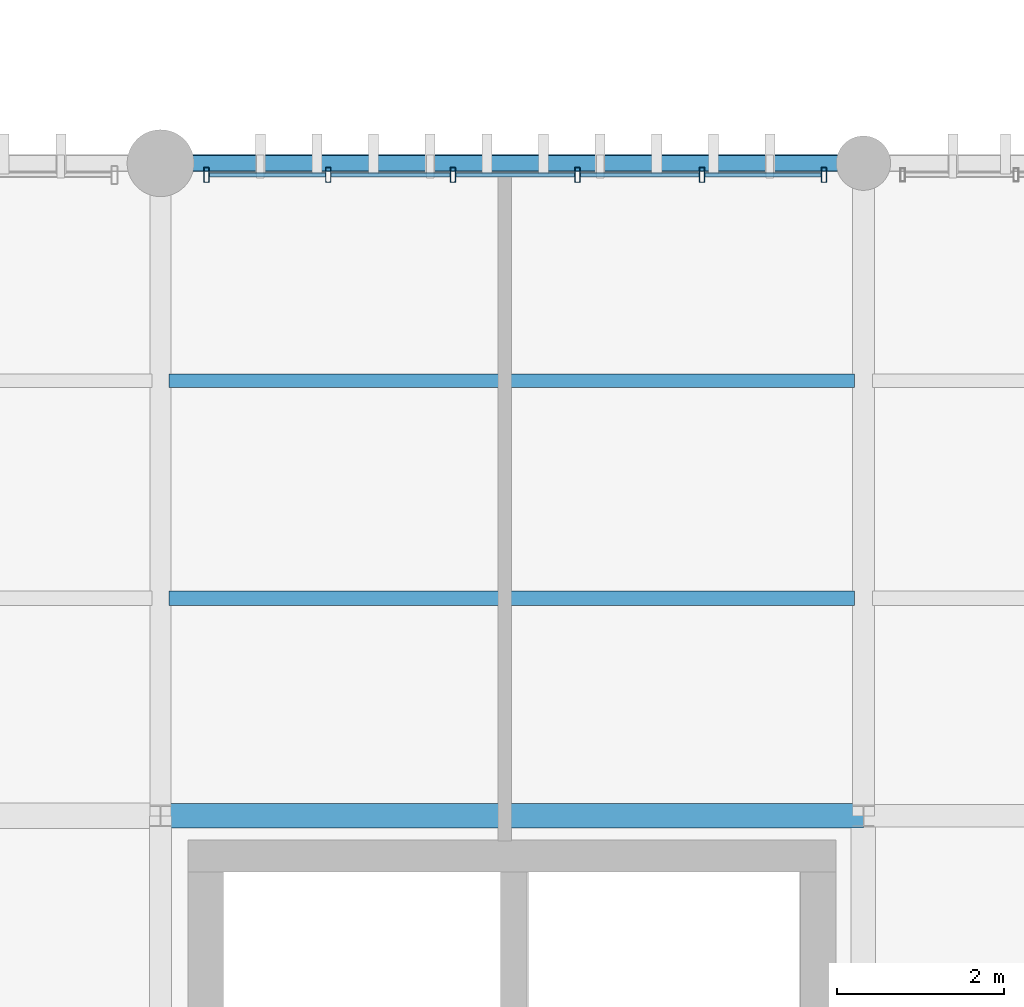
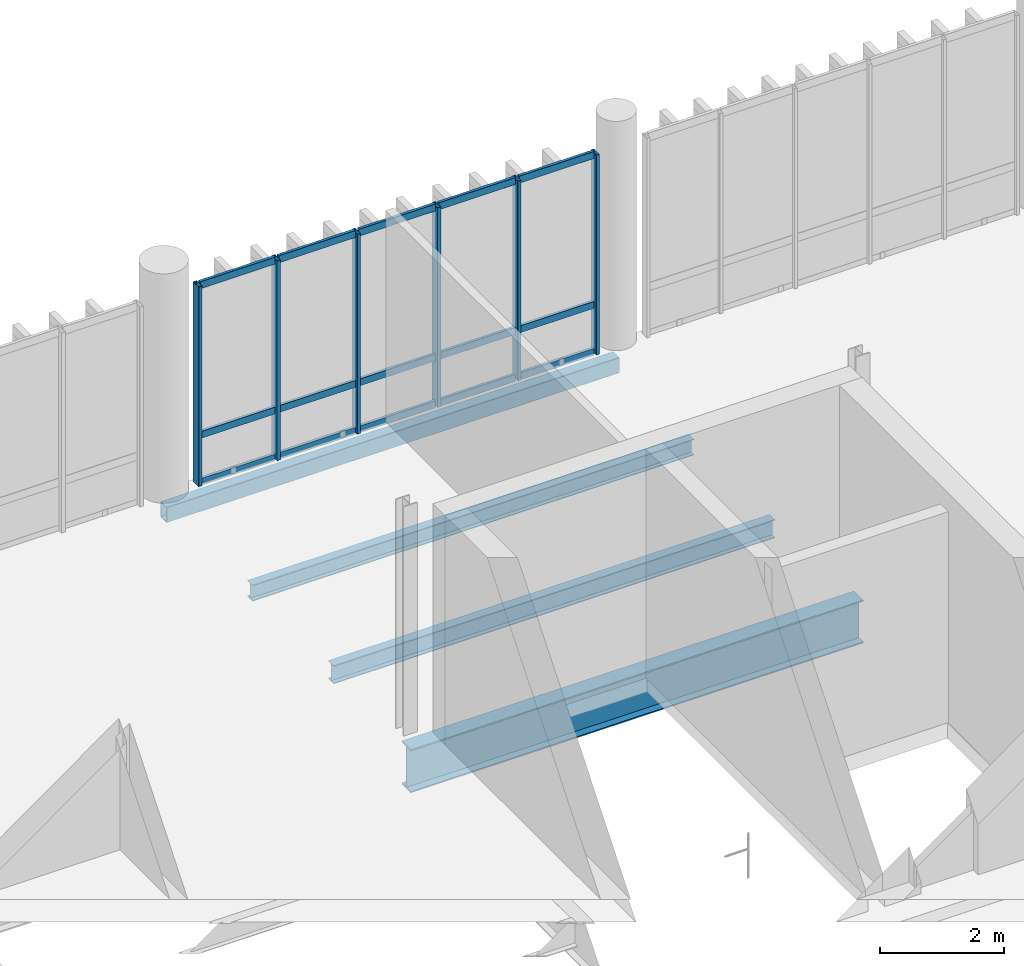
# One storey, part 14 of 66: 21 members, 4 beams, 1 element without a shape of its own.
"""IFC4 building model written with IfcOpenShell, lengths in metres."""

from ifc_helpers import new_model, si_unit, direction, frame, origin_with_axes, origin_2d_with_axis, place, context, subcontext, project, spatial, hollow_rectangle, i_section, extrude, material, material_profile, profile_set, type_object, element, aggregate, save


model = new_model("IFC4")

# Units and contexts
model_context = context("Model", 3, precision=1e-05, world=origin_with_axes(), true_north=direction((0.0, 1.0)))
body_context = subcontext(model_context, "Body", "Model", "MODEL_VIEW")
ifc_project = project(units=[si_unit("LENGTHUNIT", "METRE"), si_unit("AREAUNIT", "SQUARE_METRE"), si_unit("VOLUMEUNIT", "CUBIC_METRE"), si_unit("PLANEANGLEUNIT", "RADIAN"), si_unit("MASSUNIT", "GRAM", prefix="KILO"), si_unit("THERMODYNAMICTEMPERATUREUNIT", "KELVIN")], contexts=[model_context])

# Site, building, storey
site_placement = place(None, origin_with_axes())
site = spatial("IfcSite", under=ifc_project, at=site_placement, CompositionType="ELEMENT")
building_placement = place(site_placement, origin_with_axes())
building = spatial("IfcBuilding", under=site, at=building_placement, Name="Montbau Bow Law Courts", CompositionType="ELEMENT")
storey_placement = place(building_placement, frame((0.0, 0.0, 34.5), z_axis=(0.0, 0.0, 1.0), x_axis=(1.0, 0.0, 0.0)))
storey = spatial("IfcBuildingStorey", under=building, at=storey_placement, Name="L07", CompositionType="ELEMENT", Elevation=34.5)

# Beams
ifc_material_1 = material(Name="Steel CSA G40.21 Grade 350W (350 MPa)", Category="steel")
ifc_material_profile_1 = material_profile(ifc_material_1, i_section(OverallWidth=0.293, OverallDepth=0.846, WebThickness=0.0154, FlangeThickness=0.0244, at=origin_2d_with_axis()), Name="W840X210", Category="Main", Priority=0)
ifc_profile_set_1 = profile_set([ifc_material_profile_1], Name="Steel CSA G40.21 Grade 350W (350 MPa)")
beam_type_1 = type_object("IfcBeamType", Name="B-FLR-02", PredefinedType="BEAM", material=ifc_profile_set_1)
beam_1_placement = place(None, frame((30.6, 54.6, 33.777), z_axis=(1.0, 0.0, 0.0), x_axis=(0.0, 1.0, 0.0)))
element("IfcBeam", 1, at=beam_1_placement, inside=storey, type_object=beam_type_1, Name="BM-L07-S0731:bm2_0734", PredefinedType="BEAM", context=body_context, shape_type="SweptSolid", body=[
    extrude(i_section(OverallWidth=0.293, OverallDepth=0.846, WebThickness=0.0154, FlangeThickness=0.0244, at=origin_2d_with_axis()), origin_with_axes(), (0.0, 0.0, 1.0), 8.4),
])
ifc_material_profile_2 = material_profile(ifc_material_1, i_section(OverallWidth=0.172, OverallDepth=0.358, WebThickness=0.0079, FlangeThickness=0.0131, at=origin_2d_with_axis()), Name="W360X57", Category="Main", Priority=0)
ifc_profile_set_2 = profile_set([ifc_material_profile_2], Name="Steel CSA G40.21 Grade 350W (350 MPa)")
beam_type_2 = type_object("IfcBeamType", Name="B-JST-03", PredefinedType="JOIST", material=ifc_profile_set_2)
beam_2_placement = place(None, frame((30.703, 57.2, 34.021), z_axis=(1.0, 0.0, 0.0), x_axis=(0.0, 1.0, 0.0)))
element("IfcBeam", 2, at=beam_2_placement, inside=storey, type_object=beam_type_2, Name="JST-L07-S0378:jst2_0378", PredefinedType="JOIST", context=body_context, shape_type="SweptSolid", body=[
    extrude(i_section(OverallWidth=0.172, OverallDepth=0.358, WebThickness=0.0079, FlangeThickness=0.0131, at=origin_2d_with_axis()), origin_with_axes(), (0.0, 0.0, 1.0), 8.188),
])
ifc_material_profile_3 = material_profile(ifc_material_1, i_section(OverallWidth=0.166, OverallDepth=0.313, WebThickness=0.0066, FlangeThickness=0.0112, at=origin_2d_with_axis()), Name="W310X45", Category="Main", Priority=0)
ifc_profile_set_3 = profile_set([ifc_material_profile_3], Name="Steel CSA G40.21 Grade 350W (350 MPa)")
beam_type_3 = type_object("IfcBeamType", Name="B-JST-04", PredefinedType="JOIST", material=ifc_profile_set_3)
beam_3_placement = place(None, frame((30.703, 59.8, 34.044), z_axis=(1.0, 0.0, 0.0), x_axis=(0.0, 1.0, 0.0)))
element("IfcBeam", 3, at=beam_3_placement, inside=storey, type_object=beam_type_3, Name="JST-L07-S0379:jst2_0379", PredefinedType="JOIST", context=body_context, shape_type="SweptSolid", body=[
    extrude(i_section(OverallWidth=0.166, OverallDepth=0.313, WebThickness=0.0066, FlangeThickness=0.0112, at=origin_2d_with_axis()), origin_with_axes(), (0.0, 0.0, 1.0), 8.188),
])
ifc_material_2 = material(Name="Steel CSA G40.21 Grade 350WT (350 MPa)", Category="steel")
ifc_material_profile_4 = material_profile(ifc_material_2, hollow_rectangle(XDim=0.203, YDim=0.305, WallThickness=0.0127, InnerFilletRadius=0.0254, OuterFilletRadius=0.0127, at=origin_2d_with_axis()), Name="HSS305X203X13", Category="Main", Priority=0)
ifc_profile_set_4 = profile_set([ifc_material_profile_4], Name="Steel CSA G40.21 Grade 350WT (350 MPa)")
beam_type_4 = type_object("IfcBeamType", Name="B-SPN-02", PredefinedType="SPANDREL", material=ifc_profile_set_4)
beam_4_placement = place(None, frame((30.6, 62.4, 34.047), z_axis=(1.0, 0.0, 0.0), x_axis=(0.0, 1.0, 0.0)))
element("IfcBeam", 4, at=beam_4_placement, inside=storey, type_object=beam_type_4, Name="SPN-L07-S0736:bm2_0739", PredefinedType="SPANDREL", context=body_context, shape_type="SweptSolid", body=[
    extrude(hollow_rectangle(XDim=0.203, YDim=0.305, WallThickness=0.0127, InnerFilletRadius=0.0254, OuterFilletRadius=0.0127, at=origin_2d_with_axis()), origin_with_axes(), (0.0, 0.0, 1.0), 8.4),
])

# Curtain wall, members
ifc_material_3 = material(Name="Thermally Broken Extruded Aluminium AA 6063-T6", Category="aluminium")
curtain_wall_type = type_object("IfcCurtainWallType", Name="CW-TRC-02", PredefinedType="NOTDEFINED", material=ifc_material_3)
curtain_wall_placement = place(None, frame((31.115, 62.26, 34.5), z_axis=(0.0, 0.0, 1.0), x_axis=(1.0, 0.0, 0.0)))
curtain_wall = element("IfcCurtainWall", 5, at=curtain_wall_placement, inside=storey, type_object=curtain_wall_type, Name="CW-L07-115:cw_0115", PredefinedType="NOTDEFINED")
ifc_material_profile_5 = material_profile(ifc_material_3, hollow_rectangle(XDim=0.065, YDim=0.18, WallThickness=0.005, InnerFilletRadius=0.01, OuterFilletRadius=0.005, at=origin_2d_with_axis()), Name="CWM-180X65", Category="Main", Priority=0)
ifc_profile_set_5 = profile_set([ifc_material_profile_5], Name="Thermally Broken Extruded Aluminium AA 6063-T6")
member_type_1 = type_object("IfcMemberType", Name="M-MUL-02", PredefinedType="MULLION", material=ifc_profile_set_5)
member_1_placement = place(None, frame((31.148, 62.26, 34.5), z_axis=(0.0, 0.0, 1.0), x_axis=(1.0, 0.0, 0.0)))
member_1 = element("IfcMember", 6, at=member_1_placement, type_object=member_type_1, Name="CW-L07-115-M01:cw_0115_M01", PredefinedType="MULLION", context=body_context, shape_type="SweptSolid", body=[
    extrude(hollow_rectangle(XDim=0.065, YDim=0.18, WallThickness=0.005, InnerFilletRadius=0.01, OuterFilletRadius=0.005, at=origin_2d_with_axis()), origin_with_axes(), (0.0, 0.0, 1.0), 3.92),
])
member_2_placement = place(None, frame((32.604, 62.26, 34.5), z_axis=(0.0, 0.0, 1.0), x_axis=(1.0, 0.0, 0.0)))
member_2 = element("IfcMember", 7, at=member_2_placement, type_object=member_type_1, Name="CW-L07-115-M02:cw_0115_M02", PredefinedType="MULLION", context=body_context, shape_type="SweptSolid", body=[
    extrude(hollow_rectangle(XDim=0.065, YDim=0.18, WallThickness=0.005, InnerFilletRadius=0.01, OuterFilletRadius=0.005, at=origin_2d_with_axis()), origin_with_axes(), (0.0, 0.0, 1.0), 3.92),
])
member_3_placement = place(None, frame((34.093, 62.26, 34.5), z_axis=(0.0, 0.0, 1.0), x_axis=(1.0, 0.0, 0.0)))
member_3 = element("IfcMember", 8, at=member_3_placement, type_object=member_type_1, Name="CW-L07-115-M03:cw_0115_M03", PredefinedType="MULLION", context=body_context, shape_type="SweptSolid", body=[
    extrude(hollow_rectangle(XDim=0.065, YDim=0.18, WallThickness=0.005, InnerFilletRadius=0.01, OuterFilletRadius=0.005, at=origin_2d_with_axis()), origin_with_axes(), (0.0, 0.0, 1.0), 3.92),
])
member_4_placement = place(None, frame((35.582, 62.26, 34.5), z_axis=(0.0, 0.0, 1.0), x_axis=(1.0, 0.0, 0.0)))
member_4 = element("IfcMember", 9, at=member_4_placement, type_object=member_type_1, Name="CW-L07-115-M04:cw_0115_M04", PredefinedType="MULLION", context=body_context, shape_type="SweptSolid", body=[
    extrude(hollow_rectangle(XDim=0.065, YDim=0.18, WallThickness=0.005, InnerFilletRadius=0.01, OuterFilletRadius=0.005, at=origin_2d_with_axis()), origin_with_axes(), (0.0, 0.0, 1.0), 3.92),
])
member_5_placement = place(None, frame((37.071, 62.26, 34.5), z_axis=(0.0, 0.0, 1.0), x_axis=(1.0, 0.0, 0.0)))
member_5 = element("IfcMember", 10, at=member_5_placement, type_object=member_type_1, Name="CW-L07-115-M05:cw_0115_M05", PredefinedType="MULLION", context=body_context, shape_type="SweptSolid", body=[
    extrude(hollow_rectangle(XDim=0.065, YDim=0.18, WallThickness=0.005, InnerFilletRadius=0.01, OuterFilletRadius=0.005, at=origin_2d_with_axis()), origin_with_axes(), (0.0, 0.0, 1.0), 3.92),
])
member_6_placement = place(None, frame((38.528, 62.26, 34.5), z_axis=(0.0, 0.0, 1.0), x_axis=(1.0, 0.0, 0.0)))
member_6 = element("IfcMember", 11, at=member_6_placement, type_object=member_type_1, Name="CW-L07-115-M06:cw_0115_M06", PredefinedType="MULLION", context=body_context, shape_type="SweptSolid", body=[
    extrude(hollow_rectangle(XDim=0.065, YDim=0.18, WallThickness=0.005, InnerFilletRadius=0.01, OuterFilletRadius=0.005, at=origin_2d_with_axis()), origin_with_axes(), (0.0, 0.0, 1.0), 3.92),
])
ifc_material_profile_6 = material_profile(ifc_material_3, hollow_rectangle(XDim=0.055, YDim=0.14, WallThickness=0.004, InnerFilletRadius=0.008, OuterFilletRadius=0.004, at=origin_2d_with_axis()), Name="CWT-140X55", Category="Main", Priority=0)
ifc_profile_set_6 = profile_set([ifc_material_profile_6], Name="Thermally Broken Extruded Aluminium AA 6063-T6")
member_type_2 = type_object("IfcMemberType", Name="M-TRN-02", PredefinedType="USERDEFINED", material=ifc_profile_set_6)
member_7_placement = place(None, frame((31.183, 62.26, 34.528), z_axis=(1.0, 0.0, 0.0), x_axis=(0.0, 1.0, 0.0)))
member_7 = element("IfcMember", 12, at=member_7_placement, type_object=member_type_2, Name="CW-L07-115-T01-1:cw_0115_T01_1", ObjectType="TRANSOM", PredefinedType="USERDEFINED", context=body_context, shape_type="SweptSolid", body=[
    extrude(hollow_rectangle(XDim=0.055, YDim=0.14, WallThickness=0.004, InnerFilletRadius=0.008, OuterFilletRadius=0.004, at=origin_2d_with_axis()), origin_with_axes(), (0.0, 0.0, 1.0), 1.387),
])
member_8_placement = place(None, frame((31.183, 62.26, 35.45), z_axis=(1.0, 0.0, 0.0), x_axis=(0.0, 1.0, 0.0)))
member_8 = element("IfcMember", 13, at=member_8_placement, type_object=member_type_2, Name="CW-L07-115-T01-2:cw_0115_T01_2", ObjectType="TRANSOM", PredefinedType="USERDEFINED", context=body_context, shape_type="SweptSolid", body=[
    extrude(hollow_rectangle(XDim=0.055, YDim=0.14, WallThickness=0.004, InnerFilletRadius=0.008, OuterFilletRadius=0.004, at=origin_2d_with_axis()), origin_with_axes(), (0.0, 0.0, 1.0), 1.387),
])
member_9_placement = place(None, frame((31.183, 62.26, 38.392), z_axis=(1.0, 0.0, 0.0), x_axis=(0.0, 1.0, 0.0)))
member_9 = element("IfcMember", 14, at=member_9_placement, type_object=member_type_2, Name="CW-L07-115-T01-3:cw_0115_T01_3", ObjectType="TRANSOM", PredefinedType="USERDEFINED", context=body_context, shape_type="SweptSolid", body=[
    extrude(hollow_rectangle(XDim=0.055, YDim=0.14, WallThickness=0.004, InnerFilletRadius=0.008, OuterFilletRadius=0.004, at=origin_2d_with_axis()), origin_with_axes(), (0.0, 0.0, 1.0), 1.387),
])
member_10_placement = place(None, frame((32.639, 62.26, 34.528), z_axis=(1.0, 0.0, 0.0), x_axis=(0.0, 1.0, 0.0)))
member_10 = element("IfcMember", 15, at=member_10_placement, type_object=member_type_2, Name="CW-L07-115-T02-1:cw_0115_T02_1", ObjectType="TRANSOM", PredefinedType="USERDEFINED", context=body_context, shape_type="SweptSolid", body=[
    extrude(hollow_rectangle(XDim=0.055, YDim=0.14, WallThickness=0.004, InnerFilletRadius=0.008, OuterFilletRadius=0.004, at=origin_2d_with_axis()), origin_with_axes(), (0.0, 0.0, 1.0), 1.42),
])
member_11_placement = place(None, frame((32.639, 62.26, 35.45), z_axis=(1.0, 0.0, 0.0), x_axis=(0.0, 1.0, 0.0)))
member_11 = element("IfcMember", 16, at=member_11_placement, type_object=member_type_2, Name="CW-L07-115-T02-2:cw_0115_T02_2", ObjectType="TRANSOM", PredefinedType="USERDEFINED", context=body_context, shape_type="SweptSolid", body=[
    extrude(hollow_rectangle(XDim=0.055, YDim=0.14, WallThickness=0.004, InnerFilletRadius=0.008, OuterFilletRadius=0.004, at=origin_2d_with_axis()), origin_with_axes(), (0.0, 0.0, 1.0), 1.42),
])
member_12_placement = place(None, frame((32.639, 62.26, 38.392), z_axis=(1.0, 0.0, 0.0), x_axis=(0.0, 1.0, 0.0)))
member_12 = element("IfcMember", 17, at=member_12_placement, type_object=member_type_2, Name="CW-L07-115-T02-3:cw_0115_T02_3", ObjectType="TRANSOM", PredefinedType="USERDEFINED", context=body_context, shape_type="SweptSolid", body=[
    extrude(hollow_rectangle(XDim=0.055, YDim=0.14, WallThickness=0.004, InnerFilletRadius=0.008, OuterFilletRadius=0.004, at=origin_2d_with_axis()), origin_with_axes(), (0.0, 0.0, 1.0), 1.42),
])
member_13_placement = place(None, frame((34.128, 62.26, 34.528), z_axis=(1.0, 0.0, 0.0), x_axis=(0.0, 1.0, 0.0)))
member_13 = element("IfcMember", 18, at=member_13_placement, type_object=member_type_2, Name="CW-L07-115-T03-1:cw_0115_T03_1", ObjectType="TRANSOM", PredefinedType="USERDEFINED", context=body_context, shape_type="SweptSolid", body=[
    extrude(hollow_rectangle(XDim=0.055, YDim=0.14, WallThickness=0.004, InnerFilletRadius=0.008, OuterFilletRadius=0.004, at=origin_2d_with_axis()), origin_with_axes(), (0.0, 0.0, 1.0), 1.42),
])
member_14_placement = place(None, frame((34.128, 62.26, 35.45), z_axis=(1.0, 0.0, 0.0), x_axis=(0.0, 1.0, 0.0)))
member_14 = element("IfcMember", 19, at=member_14_placement, type_object=member_type_2, Name="CW-L07-115-T03-2:cw_0115_T03_2", ObjectType="TRANSOM", PredefinedType="USERDEFINED", context=body_context, shape_type="SweptSolid", body=[
    extrude(hollow_rectangle(XDim=0.055, YDim=0.14, WallThickness=0.004, InnerFilletRadius=0.008, OuterFilletRadius=0.004, at=origin_2d_with_axis()), origin_with_axes(), (0.0, 0.0, 1.0), 1.42),
])
member_15_placement = place(None, frame((34.128, 62.26, 38.392), z_axis=(1.0, 0.0, 0.0), x_axis=(0.0, 1.0, 0.0)))
member_15 = element("IfcMember", 20, at=member_15_placement, type_object=member_type_2, Name="CW-L07-115-T03-3:cw_0115_T03_3", ObjectType="TRANSOM", PredefinedType="USERDEFINED", context=body_context, shape_type="SweptSolid", body=[
    extrude(hollow_rectangle(XDim=0.055, YDim=0.14, WallThickness=0.004, InnerFilletRadius=0.008, OuterFilletRadius=0.004, at=origin_2d_with_axis()), origin_with_axes(), (0.0, 0.0, 1.0), 1.42),
])
member_16_placement = place(None, frame((35.616, 62.26, 34.528), z_axis=(1.0, 0.0, 0.0), x_axis=(0.0, 1.0, 0.0)))
member_16 = element("IfcMember", 21, at=member_16_placement, type_object=member_type_2, Name="CW-L07-115-T04-1:cw_0115_T04_1", ObjectType="TRANSOM", PredefinedType="USERDEFINED", context=body_context, shape_type="SweptSolid", body=[
    extrude(hollow_rectangle(XDim=0.055, YDim=0.14, WallThickness=0.004, InnerFilletRadius=0.008, OuterFilletRadius=0.004, at=origin_2d_with_axis()), origin_with_axes(), (0.0, 0.0, 1.0), 1.421),
])
member_17_placement = place(None, frame((35.616, 62.26, 35.45), z_axis=(1.0, 0.0, 0.0), x_axis=(0.0, 1.0, 0.0)))
member_17 = element("IfcMember", 22, at=member_17_placement, type_object=member_type_2, Name="CW-L07-115-T04-2:cw_0115_T04_2", ObjectType="TRANSOM", PredefinedType="USERDEFINED", context=body_context, shape_type="SweptSolid", body=[
    extrude(hollow_rectangle(XDim=0.055, YDim=0.14, WallThickness=0.004, InnerFilletRadius=0.008, OuterFilletRadius=0.004, at=origin_2d_with_axis()), origin_with_axes(), (0.0, 0.0, 1.0), 1.421),
])
member_18_placement = place(None, frame((35.616, 62.26, 38.392), z_axis=(1.0, 0.0, 0.0), x_axis=(0.0, 1.0, 0.0)))
member_18 = element("IfcMember", 23, at=member_18_placement, type_object=member_type_2, Name="CW-L07-115-T04-3:cw_0115_T04_3", ObjectType="TRANSOM", PredefinedType="USERDEFINED", context=body_context, shape_type="SweptSolid", body=[
    extrude(hollow_rectangle(XDim=0.055, YDim=0.14, WallThickness=0.004, InnerFilletRadius=0.008, OuterFilletRadius=0.004, at=origin_2d_with_axis()), origin_with_axes(), (0.0, 0.0, 1.0), 1.421),
])
member_19_placement = place(None, frame((37.105, 62.26, 34.528), z_axis=(1.0, 0.0, 0.0), x_axis=(0.0, 1.0, 0.0)))
member_19 = element("IfcMember", 24, at=member_19_placement, type_object=member_type_2, Name="CW-L07-115-T05-1:cw_0115_T05_1", ObjectType="TRANSOM", PredefinedType="USERDEFINED", context=body_context, shape_type="SweptSolid", body=[
    extrude(hollow_rectangle(XDim=0.055, YDim=0.14, WallThickness=0.004, InnerFilletRadius=0.008, OuterFilletRadius=0.004, at=origin_2d_with_axis()), origin_with_axes(), (0.0, 0.0, 1.0), 1.389),
])
member_20_placement = place(None, frame((37.105, 62.26, 35.45), z_axis=(1.0, 0.0, 0.0), x_axis=(0.0, 1.0, 0.0)))
member_20 = element("IfcMember", 25, at=member_20_placement, type_object=member_type_2, Name="CW-L07-115-T05-2:cw_0115_T05_2", ObjectType="TRANSOM", PredefinedType="USERDEFINED", context=body_context, shape_type="SweptSolid", body=[
    extrude(hollow_rectangle(XDim=0.055, YDim=0.14, WallThickness=0.004, InnerFilletRadius=0.008, OuterFilletRadius=0.004, at=origin_2d_with_axis()), origin_with_axes(), (0.0, 0.0, 1.0), 1.389),
])
member_21_placement = place(None, frame((37.105, 62.26, 38.392), z_axis=(1.0, 0.0, 0.0), x_axis=(0.0, 1.0, 0.0)))
member_21 = element("IfcMember", 26, at=member_21_placement, type_object=member_type_2, Name="CW-L07-115-T05-3:cw_0115_T05_3", ObjectType="TRANSOM", PredefinedType="USERDEFINED", context=body_context, shape_type="SweptSolid", body=[
    extrude(hollow_rectangle(XDim=0.055, YDim=0.14, WallThickness=0.004, InnerFilletRadius=0.008, OuterFilletRadius=0.004, at=origin_2d_with_axis()), origin_with_axes(), (0.0, 0.0, 1.0), 1.389),
])
aggregate(curtain_wall, [member_1, member_2, member_3, member_4, member_5, member_6, member_7, member_8, member_9, member_10, member_11, member_12, member_13, member_14, member_15, member_16, member_17, member_18, member_19, member_20, member_21])

save(model, "model.ifc")
